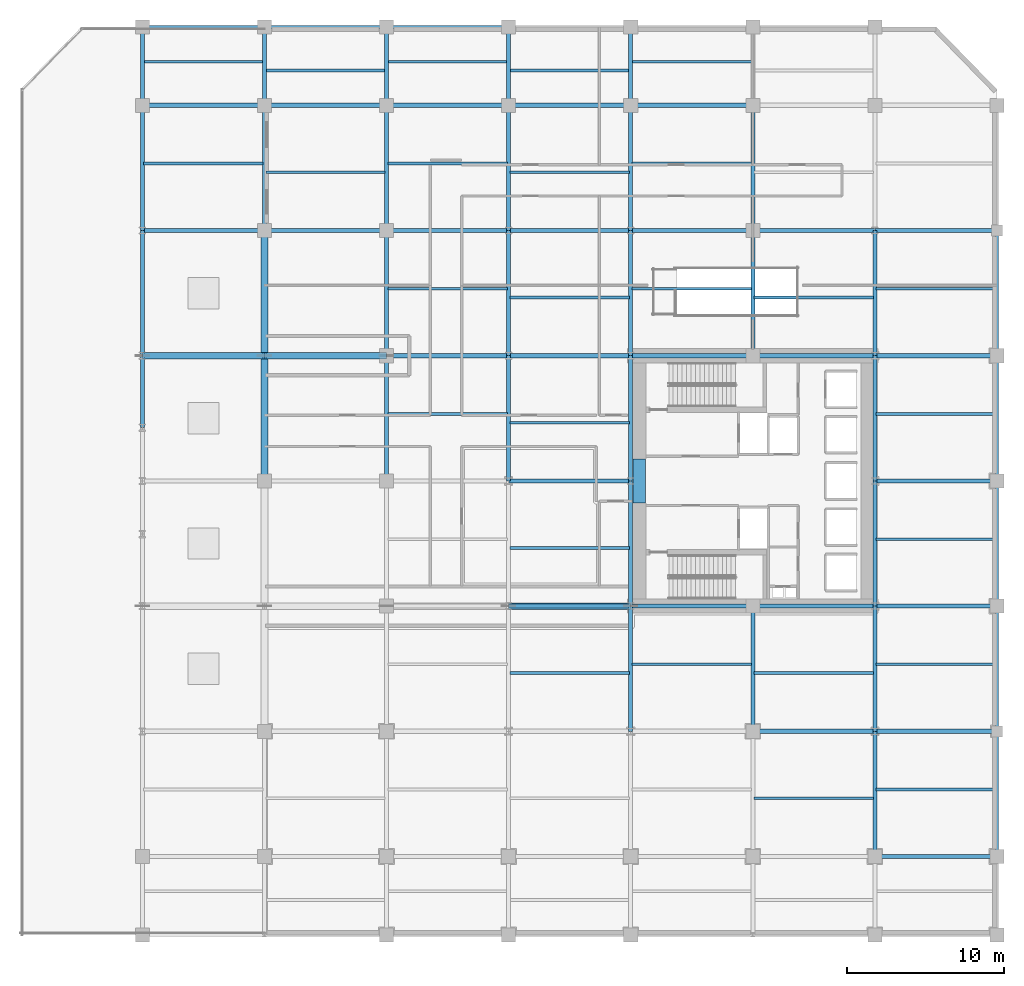
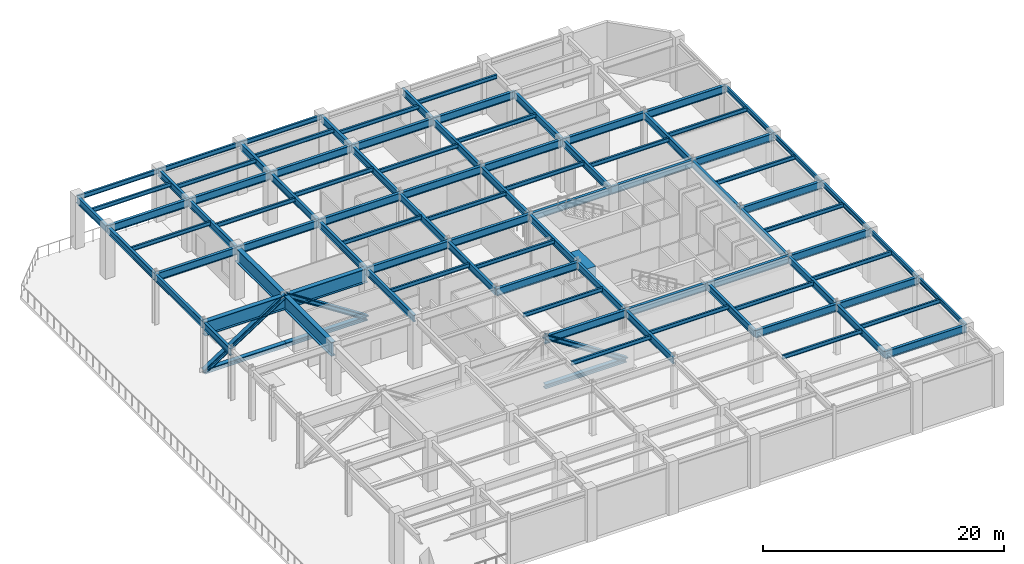
# One storey, part 4 of 14: 91 beams, 6 members.
"""IFC4 building model written with IfcOpenShell, lengths in metres."""

import ifcopenshell
import ifcopenshell.guid

model = None  # the IFC model being written
_history = None  # IfcOwnerHistory: only IFC2X3 demands one
_inside = {}  # id of a spatial element -> (the spatial element, [elements in it])
_under = {}  # id of a project, library or spatial element -> (it, [spatial elements below it])
_declared = {}  # id of a project -> (the project, [libraries it declares])
_typed = {}  # id of a type object -> (the type object, [elements of that type])
_made_of = {}  # id of a material, layer set ... -> (it, [elements and type objects made of it])


def new_model(schema):
    """Start an empty IFC model of exactly this schema.

    Asked for "IFC4X3", IfcOpenShell would pick the latest addendum, in which some entities
    have other attributes; the version numbers below select the first issue.
    IFC2X3 requires an IfcOwnerHistory on every rooted entity: one is made here for all.
    """
    global model, _history
    if schema == "IFC4X3":
        model = ifcopenshell.file(schema_version=(4, 3, 0, 0))
    else:
        model = ifcopenshell.file(schema=schema)
    _inside.clear()
    _under.clear()
    _declared.clear()
    _typed.clear()
    _made_of.clear()
    _history = None
    if model.schema == "IFC2X3":
        org = make("IfcOrganization", Name="unknown")
        user = make(
            "IfcPersonAndOrganization",
            ThePerson=make("IfcPerson", FamilyName="unknown"),
            TheOrganization=org,
        )
        app = make(
            "IfcApplication",
            ApplicationDeveloper=org,
            Version="unknown",
            ApplicationFullName="unknown",
            ApplicationIdentifier="unknown",
        )
        _history = make(
            "IfcOwnerHistory",
            OwningUser=user,
            OwningApplication=app,
            ChangeAction="ADDED",
            CreationDate=0,
        )
    return model


def make(cls, **values):
    """One entity of the class cls with the attributes given. An attribute that is None is left unset."""
    return model.create_entity(
        cls, **{name: value for name, value in values.items() if value is not None}
    )


def rooted(cls, **values):
    """An entity with a GlobalId (a new one), such as an element, a storey or a relation."""
    return make(cls, GlobalId=ifcopenshell.guid.new(), OwnerHistory=_history, **values)


def si_unit(unit_type, name, prefix=None):
    """IfcSIUnit, for example si_unit("LENGTHUNIT", "METRE", prefix="MILLI")."""
    return make("IfcSIUnit", UnitType=unit_type, Prefix=prefix, Name=name)


def assignment(units):
    """IfcUnitAssignment: the units of a project."""
    return None if units is None else make("IfcUnitAssignment", Units=units)


def point(xyz):
    """IfcCartesianPoint."""
    return None if xyz is None else make("IfcCartesianPoint", Coordinates=xyz)


def direction(xyz):
    """IfcDirection."""
    return None if xyz is None else make("IfcDirection", DirectionRatios=xyz)


def frame(location, z_axis=None, x_axis=None):
    """IfcAxis2Placement3D, a coordinate frame: its origin and axes. An axis left out is left unset."""
    return make(
        "IfcAxis2Placement3D",
        Location=point(location),
        Axis=direction(z_axis),
        RefDirection=direction(x_axis),
    )


def frame_2d(location, x_axis=None):
    """IfcAxis2Placement2D, a coordinate frame in the plane: its origin and x axis."""
    return make(
        "IfcAxis2Placement2D", Location=point(location), RefDirection=direction(x_axis)
    )


def origin():
    """The frame at (0, 0, 0) with its axes left unset."""
    return frame((0.0, 0.0, 0.0))


def origin_2d():
    """The frame at (0, 0) in the plane with its x axis left unset."""
    return frame_2d((0.0, 0.0))


def place(relative_to, where):
    """IfcLocalPlacement: puts the frame where relative to a parent placement (None: the world)."""
    return make(
        "IfcLocalPlacement", PlacementRelTo=relative_to, RelativePlacement=where
    )


def context(
    kind, dimensions, precision=None, world=None, true_north=None, identifier=None
):
    """IfcGeometricRepresentationContext, for example the 3D "Model" context."""
    return make(
        "IfcGeometricRepresentationContext",
        ContextIdentifier=identifier,
        ContextType=kind,
        CoordinateSpaceDimension=dimensions,
        Precision=precision,
        WorldCoordinateSystem=world,
        TrueNorth=true_north,
    )


def subcontext(parent, identifier, kind, view, scale=None):
    """IfcGeometricRepresentationSubContext, for example "Body" below "Model"."""
    return make(
        "IfcGeometricRepresentationSubContext",
        ContextIdentifier=identifier,
        ContextType=kind,
        ParentContext=parent,
        TargetScale=scale,
        TargetView=view,
    )


def project(units=None, contexts=None):
    """IfcProject with its units and contexts."""
    return rooted(
        "IfcProject",
        Name="project",
        RepresentationContexts=contexts,
        UnitsInContext=assignment(units),
    )


def spatial(cls, under=None, at=None, **own):
    """A site, building, storey or space (cls), placed at a placement, below another one or the project."""
    s = rooted(cls, ObjectPlacement=at, **own)
    if under is not None:
        _under.setdefault(under.id(), (under, []))[1].append(s)
    return s


def profile(cls, at=None, kind="AREA", **sizes):
    """A parametric profile (cls). Its sizes go by their IFC names, for example OverallWidth=200.0."""
    return make(cls, ProfileType=kind, Position=at, **sizes)


def rectangle(**sizes):
    """IfcRectangleProfileDef."""
    return profile("IfcRectangleProfileDef", **sizes)


def i_section(**sizes):
    """IfcIShapeProfileDef."""
    return profile("IfcIShapeProfileDef", **sizes)


def extrude(swept, where, along, depth):
    """IfcExtrudedAreaSolid: the profile swept, set in the frame where, extruded along a direction by depth."""
    return make(
        "IfcExtrudedAreaSolid",
        SweptArea=swept,
        Position=where,
        ExtrudedDirection=direction(along),
        Depth=depth,
    )


def shape(context_of_items, identifier, shape_type, items):
    """IfcShapeRepresentation: the items that make up one representation, for example the "Body"."""
    return make(
        "IfcShapeRepresentation",
        ContextOfItems=context_of_items,
        RepresentationIdentifier=identifier,
        RepresentationType=shape_type,
        Items=items,
    )


def material(Name=None, Category=None):
    """IfcMaterial."""
    return make("IfcMaterial", Name=Name, Category=Category)


def material_profile(
    of_material, cross_section, Name=None, Category=None, Priority=None
):
    """IfcMaterialProfile: a cross section and its material."""
    return make(
        "IfcMaterialProfile",
        Name=Name,
        Material=of_material,
        Profile=cross_section,
        Priority=Priority,
        Category=Category,
    )


def profile_set(profiles, Name=None, composite=None):
    """IfcMaterialProfileSet."""
    return make(
        "IfcMaterialProfileSet",
        Name=Name,
        MaterialProfiles=profiles,
        CompositeProfile=composite,
    )


def made_of(thing, what):
    """Note that an element or type object is made of a material, layer set ...; save() writes the relation."""
    if what is not None:
        _made_of.setdefault(what.id(), (what, []))[1].append(thing)
    return thing


def type_object(cls, material=None, **own):
    """A type object (cls), such as IfcWallType, which elements share."""
    return made_of(rooted(cls, **own), material)


def element(
    cls,
    number,
    at=None,
    inside=None,
    cuts=None,
    type_object=None,
    material=None,
    context=None,
    identifier="Body",
    shape_type=None,
    held_by="IfcProductDefinitionShape",
    body=None,
    shapes=None,
    **own,
):
    """One element of the class cls, such as IfcWall. Its Tag is "e" and its number.

    at: its placement. inside: the storey or other place that contains it. cuts: it is an
    opening in that element (IfcRelVoidsElement). A single representation is given by context,
    identifier, shape_type and body (its items); several are given by shapes. held_by: the class
    of the entity that holds the representations. save() writes the other relations.
    """
    e = rooted(cls, Tag="e%d" % number, ObjectPlacement=at, **own)
    if body is not None:
        shapes = [shape(context, identifier, shape_type, body)]
    if shapes is not None:
        e.Representation = make(held_by, Representations=shapes)
    if inside is not None:
        _inside.setdefault(inside.id(), (inside, []))[1].append(e)
    if cuts is not None:
        rooted(
            "IfcRelVoidsElement", RelatingBuildingElement=cuts, RelatedOpeningElement=e
        )
    if type_object is not None:
        _typed.setdefault(type_object.id(), (type_object, []))[1].append(e)
    return made_of(e, material)


def aggregate(whole, parts):
    """IfcRelAggregates: a whole, such as a stair, and the parts it consists of."""
    return rooted("IfcRelAggregates", RelatingObject=whole, RelatedObjects=parts)


def save(model, path):
    """Write the relations noted so far, then the file.

    IfcRelAggregates (storeys below a building ...), IfcRelContainedInSpatialStructure (elements
    in a storey), IfcRelDefinesByType, IfcRelAssociatesMaterial and IfcRelDeclares: one each for
    every whole, place, type object, material and project.
    """
    for whole, parts in _under.values():
        aggregate(whole, parts)
    for where, things in _inside.values():
        rooted(
            "IfcRelContainedInSpatialStructure",
            RelatedElements=things,
            RelatingStructure=where,
        )
    for kind, things in _typed.values():
        rooted("IfcRelDefinesByType", RelatedObjects=things, RelatingType=kind)
    for what, things in _made_of.values():
        rooted("IfcRelAssociatesMaterial", RelatedObjects=things, RelatingMaterial=what)
    for by, libraries in _declared.values():
        rooted("IfcRelDeclares", RelatingContext=by, RelatedDefinitions=libraries)
    model.write(path)


model = new_model("IFC4")

# Units and contexts
model_context = context("Model", 3, precision=1e-05, world=origin(), true_north=direction((0.0, 1.0)))
body_context = subcontext(model_context, "Body", "Model", "MODEL_VIEW")
ifc_project = project(units=[si_unit("LENGTHUNIT", "METRE"), si_unit("AREAUNIT", "SQUARE_METRE"), si_unit("VOLUMEUNIT", "CUBIC_METRE"), si_unit("PLANEANGLEUNIT", "RADIAN"), si_unit("MASSUNIT", "GRAM", prefix="KILO")], contexts=[model_context])

# Site, building, storey
site_placement = place(None, origin())
site = spatial("IfcSite", under=ifc_project, at=site_placement, CompositionType="ELEMENT")
building_placement = place(site_placement, origin())
building = spatial("IfcBuilding", under=site, at=building_placement, Name="Veymaron Broadcast Tower", CompositionType="ELEMENT")
storey_placement = place(building_placement, frame((0.0, 0.0, 27.0)))
storey = spatial("IfcBuildingStorey", under=building, at=storey_placement, Name="L05", CompositionType="ELEMENT", Elevation=27.0)

# Beams
ifc_material_1 = material(Name="Concrete C70/85", Category="concrete")
ifc_material_profile_1 = material_profile(ifc_material_1, rectangle(XDim=0.800048828125, YDim=1.10009765625, at=origin_2d()), Name="RC800X1100")
ifc_profile_set_1 = profile_set([ifc_material_profile_1], Name="Concrete C70/85")
beam_type_1 = type_object("IfcBeamType", Name="BM-CB1", PredefinedType="LINTEL", material=ifc_profile_set_1)
beam_1_placement = place(storey_placement, frame((39.530029296875, 22.60009765625, 4.530029296875), z_axis=(0.0, 1.0, 0.0), x_axis=(-1.0, 0.0, 0.0)))
element("IfcBeam", 1, at=beam_1_placement, inside=storey, type_object=beam_type_1, Name="L05 Core Wall west coupling beam", PredefinedType="LINTEL", context=body_context, shape_type="SweptSolid", body=[
    extrude(rectangle(XDim=0.800048828125, YDim=1.10009765625, at=origin_2d()), origin(), (0.0, 0.0, 1.0), 2.7998046875),
])
ifc_material_2 = material(Name="Structural steel ASTM A992 Gr 50", Category="steel")
ifc_material_profile_2 = material_profile(ifc_material_2, i_section(OverallWidth=0.177978515625, OverallDepth=0.406982421875, WebThickness=0.0078125, FlangeThickness=0.0126953125, at=origin_2d()), Name="W410X60")
ifc_profile_set_2 = profile_set([ifc_material_profile_2], Name="Structural steel ASTM A992 Gr 50")
beam_type_2 = type_object("IfcBeamType", Name="BM-JS1", PredefinedType="JOIST", material=ifc_profile_set_2)
for number, where, z_axis, x_axis, name in (
    (2, (7.885009765625, 44.280029296875, 4.87646484375), (1.0, 0.0, 0.0), (0.0, 1.0, 0.0), "L05 podium secondary floor joist"),
    (3, (7.885009765625, 50.780029296875, 4.87646484375), (1.0, 0.0, 0.0), (0.0, 1.0, 0.0), "L05 podium secondary floor joist"),
    (4, (15.68505859375, 43.719970703125, 4.87646484375), (1.0, 0.0, 0.0), (0.0, 1.0, 0.0), "L05 podium secondary floor joist"),
    (5, (15.68505859375, 50.219970703125, 4.87646484375), (1.0, 0.0, 0.0), (0.0, 1.0, 0.0), "L05 podium secondary floor joist"),
    (6, (23.485107421875, 28.280029296875, 4.87646484375), (1.0, 0.0, 0.0), (0.0, 1.0, 0.0), "L05 podium secondary floor joist"),
    (7, (23.485107421875, 36.280029296875, 4.87646484375), (1.0, 0.0, 0.0), (0.0, 1.0, 0.0), "L05 podium secondary floor joist"),
    (8, (23.485107421875, 44.280029296875, 4.87646484375), (1.0, 0.0, 0.0), (0.0, 1.0, 0.0), "L05 podium secondary floor joist"),
    (9, (23.485107421875, 50.780029296875, 4.87646484375), (1.0, 0.0, 0.0), (0.0, 1.0, 0.0), "L05 podium secondary floor joist"),
):
    element("IfcBeam", number, at=place(storey_placement, frame(where, z_axis=z_axis, x_axis=x_axis)), inside=storey, type_object=beam_type_2, Name=name, PredefinedType="JOIST", context=body_context, shape_type="SweptSolid", body=[
        extrude(i_section(OverallWidth=0.177978515625, OverallDepth=0.406982421875, WebThickness=0.0078125, FlangeThickness=0.0126953125, at=origin_2d()), origin(), (0.0, 0.0, 1.0), 7.6298828125),
    ])
for number, where, z_axis, x_axis, name in (
    (10, (31.284912109375, 11.719970703125, 4.87646484375), (1.0, 0.0, 0.0), (0.0, 1.0, 0.0), "L05 podium secondary floor joist"),
    (11, (31.284912109375, 19.719970703125, 4.87646484375), (1.0, 0.0, 0.0), (0.0, 1.0, 0.0), "L05 podium secondary floor joist"),
    (12, (31.284912109375, 27.719970703125, 4.87646484375), (1.0, 0.0, 0.0), (0.0, 1.0, 0.0), "L05 podium secondary floor joist"),
    (13, (31.284912109375, 35.719970703125, 4.87646484375), (1.0, 0.0, 0.0), (0.0, 1.0, 0.0), "L05 podium secondary floor joist"),
    (14, (31.284912109375, 43.719970703125, 4.87646484375), (1.0, 0.0, 0.0), (0.0, 1.0, 0.0), "L05 podium secondary floor joist"),
    (15, (31.284912109375, 50.219970703125, 4.87646484375), (1.0, 0.0, 0.0), (0.0, 1.0, 0.0), "L05 podium secondary floor joist"),
    (16, (39.0849609375, 12.280029296875, 4.87646484375), (1.0, 0.0, 0.0), (0.0, 1.0, 0.0), "L05 podium secondary floor joist"),
    (17, (39.0849609375, 36.280029296875, 4.87646484375), (1.0, 0.0, 0.0), (0.0, 1.0, 0.0), "L05 podium secondary floor joist"),
    (18, (39.0849609375, 44.280029296875, 4.87646484375), (1.0, 0.0, 0.0), (0.0, 1.0, 0.0), "L05 podium secondary floor joist"),
    (19, (39.0849609375, 50.780029296875, 4.87646484375), (1.0, 0.0, 0.0), (0.0, 1.0, 0.0), "L05 podium secondary floor joist"),
):
    element("IfcBeam", number, at=place(storey_placement, frame(where, z_axis=z_axis, x_axis=x_axis)), inside=storey, type_object=beam_type_2, Name=name, PredefinedType="JOIST", context=body_context, shape_type="SweptSolid", body=[
        extrude(i_section(OverallWidth=0.177978515625, OverallDepth=0.406982421875, WebThickness=0.0078125, FlangeThickness=0.0126953125, at=origin_2d()), origin(), (0.0, 0.0, 1.0), 7.630126953125),
    ])
for number, where, z_axis, x_axis, name in (
    (20, (46.885009765625, 3.719970703125, 4.87646484375), (1.0, 0.0, 0.0), (0.0, 1.0, 0.0), "L05 podium secondary floor joist"),
    (21, (46.885009765625, 11.719970703125, 4.87646484375), (1.0, 0.0, 0.0), (0.0, 1.0, 0.0), "L05 podium secondary floor joist"),
    (22, (46.885009765625, 35.719970703125, 4.87646484375), (1.0, 0.0, 0.0), (0.0, 1.0, 0.0), "L05 podium secondary floor joist"),
    (23, (54.68505859375, 4.280029296875, 4.87646484375), (1.0, 0.0, 0.0), (0.0, 1.0, 0.0), "L05 podium secondary floor joist"),
    (24, (54.68505859375, 12.280029296875, 4.87646484375), (1.0, 0.0, 0.0), (0.0, 1.0, 0.0), "L05 podium secondary floor joist"),
    (25, (54.68505859375, 20.280029296875, 4.87646484375), (1.0, 0.0, 0.0), (0.0, 1.0, 0.0), "L05 podium secondary floor joist"),
    (26, (54.68505859375, 28.280029296875, 4.87646484375), (1.0, 0.0, 0.0), (0.0, 1.0, 0.0), "L05 podium secondary floor joist"),
    (27, (54.68505859375, 36.280029296875, 4.87646484375), (1.0, 0.0, 0.0), (0.0, 1.0, 0.0), "L05 podium secondary floor joist"),
):
    element("IfcBeam", number, at=place(storey_placement, frame(where, z_axis=z_axis, x_axis=x_axis)), inside=storey, type_object=beam_type_2, Name=name, PredefinedType="JOIST", context=body_context, shape_type="SweptSolid", body=[
        extrude(i_section(OverallWidth=0.177978515625, OverallDepth=0.406982421875, WebThickness=0.0078125, FlangeThickness=0.0126953125, at=origin_2d()), origin(), (0.0, 0.0, 1.0), 7.6298828125),
    ])
ifc_material_profile_3 = material_profile(ifc_material_2, i_section(OverallWidth=0.26806640625, OverallDepth=0.77001953125, WebThickness=0.015625, FlangeThickness=0.025390625, at=origin_2d()), Name="W760X196")
ifc_profile_set_3 = profile_set([ifc_material_profile_3], Name="Structural steel ASTM A992 Gr 50")
beam_type_3 = type_object("IfcBeamType", Name="BM-PG1", PredefinedType="BEAM", material=ifc_profile_set_3)
beam_2_placement = place(storey_placement, frame((54.60009765625, 0.0, 4.695068359375), z_axis=(1.0, 0.0, 0.0), x_axis=(0.0, 1.0, 0.0)))
element("IfcBeam", 28, at=beam_2_placement, inside=storey, type_object=beam_type_3, Name="L05 podium primary X-girder", PredefinedType="BEAM", context=body_context, shape_type="SweptSolid", body=[
    extrude(i_section(OverallWidth=0.26806640625, OverallDepth=0.77001953125, WebThickness=0.015625, FlangeThickness=0.025390625, at=origin_2d()), origin(), (0.0, 0.0, 1.0), 7.7998046875),
])
beam_3_placement = place(storey_placement, frame((46.800048828125, 8.0, 4.695068359375), z_axis=(1.0, 0.0, 0.0), x_axis=(0.0, 1.0, 0.0)))
element("IfcBeam", 29, at=beam_3_placement, inside=storey, type_object=beam_type_3, Name="L05 podium primary X-girder", PredefinedType="BEAM", context=body_context, shape_type="SweptSolid", body=[
    extrude(i_section(OverallWidth=0.26806640625, OverallDepth=0.77001953125, WebThickness=0.015625, FlangeThickness=0.025390625, at=origin_2d()), origin(), (0.0, 0.0, 1.0), 7.800048828125),
])
beam_4_placement = place(storey_placement, frame((54.60009765625, 8.0, 4.695068359375), z_axis=(1.0, 0.0, 0.0), x_axis=(0.0, 1.0, 0.0)))
element("IfcBeam", 30, at=beam_4_placement, inside=storey, type_object=beam_type_3, Name="L05 podium primary X-girder", PredefinedType="BEAM", context=body_context, shape_type="SweptSolid", body=[
    extrude(i_section(OverallWidth=0.26806640625, OverallDepth=0.77001953125, WebThickness=0.015625, FlangeThickness=0.025390625, at=origin_2d()), origin(), (0.0, 0.0, 1.0), 7.7998046875),
])
for number, where, z_axis, x_axis, name in (
    (31, (31.199951171875, 16.0, 4.695068359375), (1.0, 0.0, 0.0), (0.0, 1.0, 0.0), "L05 podium primary X-girder"),
    (32, (39.0, 16.0, 4.695068359375), (1.0, 0.0, 0.0), (0.0, 1.0, 0.0), "L05 podium primary X-girder"),
    (33, (46.800048828125, 16.0, 4.695068359375), (1.0, 0.0, 0.0), (0.0, 1.0, 0.0), "L05 podium primary X-girder"),
):
    element("IfcBeam", number, at=place(storey_placement, frame(where, z_axis=z_axis, x_axis=x_axis)), inside=storey, type_object=beam_type_3, Name=name, PredefinedType="BEAM", context=body_context, shape_type="SweptSolid", body=[
        extrude(i_section(OverallWidth=0.26806640625, OverallDepth=0.77001953125, WebThickness=0.015625, FlangeThickness=0.025390625, at=origin_2d()), origin(), (0.0, 0.0, 1.0), 7.800048828125),
    ])
beam_5_placement = place(storey_placement, frame((54.60009765625, 16.0, 4.695068359375), z_axis=(1.0, 0.0, 0.0), x_axis=(0.0, 1.0, 0.0)))
element("IfcBeam", 34, at=beam_5_placement, inside=storey, type_object=beam_type_3, Name="L05 podium primary X-girder", PredefinedType="BEAM", context=body_context, shape_type="SweptSolid", body=[
    extrude(i_section(OverallWidth=0.26806640625, OverallDepth=0.77001953125, WebThickness=0.015625, FlangeThickness=0.025390625, at=origin_2d()), origin(), (0.0, 0.0, 1.0), 7.7998046875),
])
beam_6_placement = place(storey_placement, frame((31.199951171875, 24.0, 4.695068359375), z_axis=(1.0, 0.0, 0.0), x_axis=(0.0, 1.0, 0.0)))
element("IfcBeam", 35, at=beam_6_placement, inside=storey, type_object=beam_type_3, Name="L05 podium primary X-girder", PredefinedType="BEAM", context=body_context, shape_type="SweptSolid", body=[
    extrude(i_section(OverallWidth=0.26806640625, OverallDepth=0.77001953125, WebThickness=0.015625, FlangeThickness=0.025390625, at=origin_2d()), origin(), (0.0, 0.0, 1.0), 7.800048828125),
])
beam_7_placement = place(storey_placement, frame((54.60009765625, 24.0, 4.695068359375), z_axis=(1.0, 0.0, 0.0), x_axis=(0.0, 1.0, 0.0)))
element("IfcBeam", 36, at=beam_7_placement, inside=storey, type_object=beam_type_3, Name="L05 podium primary X-girder", PredefinedType="BEAM", context=body_context, shape_type="SweptSolid", body=[
    extrude(i_section(OverallWidth=0.26806640625, OverallDepth=0.77001953125, WebThickness=0.015625, FlangeThickness=0.025390625, at=origin_2d()), origin(), (0.0, 0.0, 1.0), 7.7998046875),
])
for number, where, z_axis, x_axis, name in (
    (37, (23.39990234375, 32.0, 4.695068359375), (1.0, 0.0, 0.0), (0.0, 1.0, 0.0), "L05 podium primary X-girder"),
    (38, (31.199951171875, 32.0, 4.695068359375), (1.0, 0.0, 0.0), (0.0, 1.0, 0.0), "L05 podium primary X-girder"),
    (39, (39.0, 32.0, 4.695068359375), (1.0, 0.0, 0.0), (0.0, 1.0, 0.0), "L05 podium primary X-girder"),
    (40, (46.800048828125, 32.0, 4.695068359375), (1.0, 0.0, 0.0), (0.0, 1.0, 0.0), "L05 podium primary X-girder"),
):
    element("IfcBeam", number, at=place(storey_placement, frame(where, z_axis=z_axis, x_axis=x_axis)), inside=storey, type_object=beam_type_3, Name=name, PredefinedType="BEAM", context=body_context, shape_type="SweptSolid", body=[
        extrude(i_section(OverallWidth=0.26806640625, OverallDepth=0.77001953125, WebThickness=0.015625, FlangeThickness=0.025390625, at=origin_2d()), origin(), (0.0, 0.0, 1.0), 7.800048828125),
    ])
beam_8_placement = place(storey_placement, frame((54.60009765625, 32.0, 4.695068359375), z_axis=(1.0, 0.0, 0.0), x_axis=(0.0, 1.0, 0.0)))
element("IfcBeam", 41, at=beam_8_placement, inside=storey, type_object=beam_type_3, Name="L05 podium primary X-girder", PredefinedType="BEAM", context=body_context, shape_type="SweptSolid", body=[
    extrude(i_section(OverallWidth=0.26806640625, OverallDepth=0.77001953125, WebThickness=0.015625, FlangeThickness=0.025390625, at=origin_2d()), origin(), (0.0, 0.0, 1.0), 7.7998046875),
])
beam_9_placement = place(storey_placement, frame((7.800048828125, 40.0, 4.695068359375), z_axis=(1.0, 0.0, 0.0), x_axis=(0.0, 1.0, 0.0)))
element("IfcBeam", 42, at=beam_9_placement, inside=storey, type_object=beam_type_3, Name="L05 podium primary X-girder", PredefinedType="BEAM", context=body_context, shape_type="SweptSolid", body=[
    extrude(i_section(OverallWidth=0.26806640625, OverallDepth=0.77001953125, WebThickness=0.015625, FlangeThickness=0.025390625, at=origin_2d()), origin(), (0.0, 0.0, 1.0), 7.800048828125),
])
beam_10_placement = place(storey_placement, frame((15.60009765625, 40.0, 4.695068359375), z_axis=(1.0, 0.0, 0.0), x_axis=(0.0, 1.0, 0.0)))
element("IfcBeam", 43, at=beam_10_placement, inside=storey, type_object=beam_type_3, Name="L05 podium primary X-girder", PredefinedType="BEAM", context=body_context, shape_type="SweptSolid", body=[
    extrude(i_section(OverallWidth=0.26806640625, OverallDepth=0.77001953125, WebThickness=0.015625, FlangeThickness=0.025390625, at=origin_2d()), origin(), (0.0, 0.0, 1.0), 7.7998046875),
])
for number, where, z_axis, x_axis, name in (
    (44, (23.39990234375, 40.0, 4.695068359375), (1.0, 0.0, 0.0), (0.0, 1.0, 0.0), "L05 podium primary X-girder"),
    (45, (31.199951171875, 40.0, 4.695068359375), (1.0, 0.0, 0.0), (0.0, 1.0, 0.0), "L05 podium primary X-girder"),
    (46, (39.0, 40.0, 4.695068359375), (1.0, 0.0, 0.0), (0.0, 1.0, 0.0), "L05 podium primary X-girder"),
    (47, (46.800048828125, 40.0, 4.695068359375), (1.0, 0.0, 0.0), (0.0, 1.0, 0.0), "L05 podium primary X-girder"),
):
    element("IfcBeam", number, at=place(storey_placement, frame(where, z_axis=z_axis, x_axis=x_axis)), inside=storey, type_object=beam_type_3, Name=name, PredefinedType="BEAM", context=body_context, shape_type="SweptSolid", body=[
        extrude(i_section(OverallWidth=0.26806640625, OverallDepth=0.77001953125, WebThickness=0.015625, FlangeThickness=0.025390625, at=origin_2d()), origin(), (0.0, 0.0, 1.0), 7.800048828125),
    ])
beam_11_placement = place(storey_placement, frame((54.60009765625, 40.0, 4.695068359375), z_axis=(1.0, 0.0, 0.0), x_axis=(0.0, 1.0, 0.0)))
element("IfcBeam", 48, at=beam_11_placement, inside=storey, type_object=beam_type_3, Name="L05 podium primary X-girder", PredefinedType="BEAM", context=body_context, shape_type="SweptSolid", body=[
    extrude(i_section(OverallWidth=0.26806640625, OverallDepth=0.77001953125, WebThickness=0.015625, FlangeThickness=0.025390625, at=origin_2d()), origin(), (0.0, 0.0, 1.0), 7.7998046875),
])
beam_12_placement = place(storey_placement, frame((7.800048828125, 48.0, 4.695068359375), z_axis=(1.0, 0.0, 0.0), x_axis=(0.0, 1.0, 0.0)))
element("IfcBeam", 49, at=beam_12_placement, inside=storey, type_object=beam_type_3, Name="L05 podium primary X-girder", PredefinedType="BEAM", context=body_context, shape_type="SweptSolid", body=[
    extrude(i_section(OverallWidth=0.26806640625, OverallDepth=0.77001953125, WebThickness=0.015625, FlangeThickness=0.025390625, at=origin_2d()), origin(), (0.0, 0.0, 1.0), 7.800048828125),
])
beam_13_placement = place(storey_placement, frame((15.60009765625, 48.0, 4.695068359375), z_axis=(1.0, 0.0, 0.0), x_axis=(0.0, 1.0, 0.0)))
element("IfcBeam", 50, at=beam_13_placement, inside=storey, type_object=beam_type_3, Name="L05 podium primary X-girder", PredefinedType="BEAM", context=body_context, shape_type="SweptSolid", body=[
    extrude(i_section(OverallWidth=0.26806640625, OverallDepth=0.77001953125, WebThickness=0.015625, FlangeThickness=0.025390625, at=origin_2d()), origin(), (0.0, 0.0, 1.0), 7.7998046875),
])
for number, where, z_axis, x_axis, name in (
    (51, (23.39990234375, 48.0, 4.695068359375), (1.0, 0.0, 0.0), (0.0, 1.0, 0.0), "L05 podium primary X-girder"),
    (52, (31.199951171875, 48.0, 4.695068359375), (1.0, 0.0, 0.0), (0.0, 1.0, 0.0), "L05 podium primary X-girder"),
    (53, (39.0, 48.0, 4.695068359375), (1.0, 0.0, 0.0), (0.0, 1.0, 0.0), "L05 podium primary X-girder"),
):
    element("IfcBeam", number, at=place(storey_placement, frame(where, z_axis=z_axis, x_axis=x_axis)), inside=storey, type_object=beam_type_3, Name=name, PredefinedType="BEAM", context=body_context, shape_type="SweptSolid", body=[
        extrude(i_section(OverallWidth=0.26806640625, OverallDepth=0.77001953125, WebThickness=0.015625, FlangeThickness=0.025390625, at=origin_2d()), origin(), (0.0, 0.0, 1.0), 7.800048828125),
    ])
ifc_material_profile_4 = material_profile(ifc_material_2, i_section(OverallWidth=0.256103515625, OverallDepth=0.693115234375, WebThickness=0.014404296875, FlangeThickness=0.023681640625, at=origin_2d()), Name="W690X170")
ifc_profile_set_4 = profile_set([ifc_material_profile_4], Name="Structural steel ASTM A992 Gr 50")
beam_type_4 = type_object("IfcBeamType", Name="BM-PG2", PredefinedType="BEAM", material=ifc_profile_set_4)
beam_14_placement = place(storey_placement, frame((7.800048828125, 27.39990234375, 4.7333984375), z_axis=(0.0, 1.0, 0.0), x_axis=(-1.0, 0.0, 0.0)))
element("IfcBeam", 54, at=beam_14_placement, inside=storey, type_object=beam_type_4, Name="L05 podium primary Y-girder", PredefinedType="BEAM", context=body_context, shape_type="SweptSolid", body=[
    extrude(i_section(OverallWidth=0.256103515625, OverallDepth=0.693115234375, WebThickness=0.014404296875, FlangeThickness=0.023681640625, at=origin_2d()), origin(), (0.0, 0.0, 1.0), 4.60009765625),
])
for number, where, z_axis, x_axis, name in (
    (55, (7.800048828125, 32.0, 4.7333984375), (0.0, 1.0, 0.0), (-1.0, 0.0, 0.0), "L05 podium primary Y-girder"),
    (56, (7.800048828125, 40.0, 4.7333984375), (0.0, 1.0, 0.0), (-1.0, 0.0, 0.0), "L05 podium primary Y-girder"),
):
    element("IfcBeam", number, at=place(storey_placement, frame(where, z_axis=z_axis, x_axis=x_axis)), inside=storey, type_object=beam_type_4, Name=name, PredefinedType="BEAM", context=body_context, shape_type="SweptSolid", body=[
        extrude(i_section(OverallWidth=0.256103515625, OverallDepth=0.693115234375, WebThickness=0.014404296875, FlangeThickness=0.023681640625, at=origin_2d()), origin(), (0.0, 0.0, 1.0), 8.0),
    ])
beam_15_placement = place(storey_placement, frame((7.800048828125, 48.0, 4.7333984375), z_axis=(0.0, 1.0, 0.0), x_axis=(-1.0, 0.0, 0.0)))
element("IfcBeam", 57, at=beam_15_placement, inside=storey, type_object=beam_type_4, Name="L05 podium primary Y-girder", PredefinedType="BEAM", context=body_context, shape_type="SweptSolid", body=[
    extrude(i_section(OverallWidth=0.256103515625, OverallDepth=0.693115234375, WebThickness=0.014404296875, FlangeThickness=0.023681640625, at=origin_2d()), origin(), (0.0, 0.0, 1.0), 5.0),
])
beam_16_placement = place(storey_placement, frame((15.60009765625, 40.0, 4.7333984375), z_axis=(0.0, 1.0, 0.0), x_axis=(-1.0, 0.0, 0.0)))
element("IfcBeam", 58, at=beam_16_placement, inside=storey, type_object=beam_type_4, Name="L05 podium primary Y-girder", PredefinedType="BEAM", context=body_context, shape_type="SweptSolid", body=[
    extrude(i_section(OverallWidth=0.256103515625, OverallDepth=0.693115234375, WebThickness=0.014404296875, FlangeThickness=0.023681640625, at=origin_2d()), origin(), (0.0, 0.0, 1.0), 8.0),
])
beam_17_placement = place(storey_placement, frame((15.60009765625, 48.0, 4.7333984375), z_axis=(0.0, 1.0, 0.0), x_axis=(-1.0, 0.0, 0.0)))
element("IfcBeam", 59, at=beam_17_placement, inside=storey, type_object=beam_type_4, Name="L05 podium primary Y-girder", PredefinedType="BEAM", context=body_context, shape_type="SweptSolid", body=[
    extrude(i_section(OverallWidth=0.256103515625, OverallDepth=0.693115234375, WebThickness=0.014404296875, FlangeThickness=0.023681640625, at=origin_2d()), origin(), (0.0, 0.0, 1.0), 5.0),
])
for number, where, z_axis, x_axis, name in (
    (60, (23.39990234375, 24.0, 4.7333984375), (0.0, 1.0, 0.0), (-1.0, 0.0, 0.0), "L05 podium primary Y-girder"),
    (61, (23.39990234375, 32.0, 4.7333984375), (0.0, 1.0, 0.0), (-1.0, 0.0, 0.0), "L05 podium primary Y-girder"),
    (62, (23.39990234375, 40.0, 4.7333984375), (0.0, 1.0, 0.0), (-1.0, 0.0, 0.0), "L05 podium primary Y-girder"),
):
    element("IfcBeam", number, at=place(storey_placement, frame(where, z_axis=z_axis, x_axis=x_axis)), inside=storey, type_object=beam_type_4, Name=name, PredefinedType="BEAM", context=body_context, shape_type="SweptSolid", body=[
        extrude(i_section(OverallWidth=0.256103515625, OverallDepth=0.693115234375, WebThickness=0.014404296875, FlangeThickness=0.023681640625, at=origin_2d()), origin(), (0.0, 0.0, 1.0), 8.0),
    ])
beam_18_placement = place(storey_placement, frame((23.39990234375, 48.0, 4.7333984375), z_axis=(0.0, 1.0, 0.0), x_axis=(-1.0, 0.0, 0.0)))
element("IfcBeam", 63, at=beam_18_placement, inside=storey, type_object=beam_type_4, Name="L05 podium primary Y-girder", PredefinedType="BEAM", context=body_context, shape_type="SweptSolid", body=[
    extrude(i_section(OverallWidth=0.256103515625, OverallDepth=0.693115234375, WebThickness=0.014404296875, FlangeThickness=0.023681640625, at=origin_2d()), origin(), (0.0, 0.0, 1.0), 5.0),
])
for number, where, z_axis, x_axis, name in (
    (64, (31.199951171875, 24.0, 4.7333984375), (0.0, 1.0, 0.0), (-1.0, 0.0, 0.0), "L05 podium primary Y-girder"),
    (65, (31.199951171875, 32.0, 4.7333984375), (0.0, 1.0, 0.0), (-1.0, 0.0, 0.0), "L05 podium primary Y-girder"),
    (66, (31.199951171875, 40.0, 4.7333984375), (0.0, 1.0, 0.0), (-1.0, 0.0, 0.0), "L05 podium primary Y-girder"),
):
    element("IfcBeam", number, at=place(storey_placement, frame(where, z_axis=z_axis, x_axis=x_axis)), inside=storey, type_object=beam_type_4, Name=name, PredefinedType="BEAM", context=body_context, shape_type="SweptSolid", body=[
        extrude(i_section(OverallWidth=0.256103515625, OverallDepth=0.693115234375, WebThickness=0.014404296875, FlangeThickness=0.023681640625, at=origin_2d()), origin(), (0.0, 0.0, 1.0), 8.0),
    ])
beam_19_placement = place(storey_placement, frame((31.199951171875, 48.0, 4.7333984375), z_axis=(0.0, 1.0, 0.0), x_axis=(-1.0, 0.0, 0.0)))
element("IfcBeam", 67, at=beam_19_placement, inside=storey, type_object=beam_type_4, Name="L05 podium primary Y-girder", PredefinedType="BEAM", context=body_context, shape_type="SweptSolid", body=[
    extrude(i_section(OverallWidth=0.256103515625, OverallDepth=0.693115234375, WebThickness=0.014404296875, FlangeThickness=0.023681640625, at=origin_2d()), origin(), (0.0, 0.0, 1.0), 5.0),
])
for number, where, z_axis, x_axis, name in (
    (68, (39.0, 8.0, 4.7333984375), (0.0, 1.0, 0.0), (-1.0, 0.0, 0.0), "L05 podium primary Y-girder"),
    (69, (39.0, 16.0, 4.7333984375), (0.0, 1.0, 0.0), (-1.0, 0.0, 0.0), "L05 podium primary Y-girder"),
    (70, (39.0, 24.0, 4.7333984375), (0.0, 1.0, 0.0), (-1.0, 0.0, 0.0), "L05 podium primary Y-girder"),
    (71, (39.0, 32.0, 4.7333984375), (0.0, 1.0, 0.0), (-1.0, 0.0, 0.0), "L05 podium primary Y-girder"),
    (72, (39.0, 40.0, 4.7333984375), (0.0, 1.0, 0.0), (-1.0, 0.0, 0.0), "L05 podium primary Y-girder"),
):
    element("IfcBeam", number, at=place(storey_placement, frame(where, z_axis=z_axis, x_axis=x_axis)), inside=storey, type_object=beam_type_4, Name=name, PredefinedType="BEAM", context=body_context, shape_type="SweptSolid", body=[
        extrude(i_section(OverallWidth=0.256103515625, OverallDepth=0.693115234375, WebThickness=0.014404296875, FlangeThickness=0.023681640625, at=origin_2d()), origin(), (0.0, 0.0, 1.0), 8.0),
    ])
beam_20_placement = place(storey_placement, frame((39.0, 48.0, 4.7333984375), z_axis=(0.0, 1.0, 0.0), x_axis=(-1.0, 0.0, 0.0)))
element("IfcBeam", 73, at=beam_20_placement, inside=storey, type_object=beam_type_4, Name="L05 podium primary Y-girder", PredefinedType="BEAM", context=body_context, shape_type="SweptSolid", body=[
    extrude(i_section(OverallWidth=0.256103515625, OverallDepth=0.693115234375, WebThickness=0.014404296875, FlangeThickness=0.023681640625, at=origin_2d()), origin(), (0.0, 0.0, 1.0), 5.0),
])
for number, where, z_axis, x_axis, name in (
    (74, (46.800048828125, 8.0, 4.7333984375), (0.0, 1.0, 0.0), (-1.0, 0.0, 0.0), "L05 podium primary Y-girder"),
    (75, (46.800048828125, 32.0, 4.7333984375), (0.0, 1.0, 0.0), (-1.0, 0.0, 0.0), "L05 podium primary Y-girder"),
    (76, (46.800048828125, 40.0, 4.7333984375), (0.0, 1.0, 0.0), (-1.0, 0.0, 0.0), "L05 podium primary Y-girder"),
    (77, (54.60009765625, 0.0, 4.7333984375), (0.0, 1.0, 0.0), (-1.0, 0.0, 0.0), "L05 podium primary Y-girder"),
    (78, (54.60009765625, 8.0, 4.7333984375), (0.0, 1.0, 0.0), (-1.0, 0.0, 0.0), "L05 podium primary Y-girder"),
    (79, (54.60009765625, 16.0, 4.7333984375), (0.0, 1.0, 0.0), (-1.0, 0.0, 0.0), "L05 podium primary Y-girder"),
    (80, (54.60009765625, 24.0, 4.7333984375), (0.0, 1.0, 0.0), (-1.0, 0.0, 0.0), "L05 podium primary Y-girder"),
    (81, (54.60009765625, 32.0, 4.7333984375), (0.0, 1.0, 0.0), (-1.0, 0.0, 0.0), "L05 podium primary Y-girder"),
):
    element("IfcBeam", number, at=place(storey_placement, frame(where, z_axis=z_axis, x_axis=x_axis)), inside=storey, type_object=beam_type_4, Name=name, PredefinedType="BEAM", context=body_context, shape_type="SweptSolid", body=[
        extrude(i_section(OverallWidth=0.256103515625, OverallDepth=0.693115234375, WebThickness=0.014404296875, FlangeThickness=0.023681640625, at=origin_2d()), origin(), (0.0, 0.0, 1.0), 8.0),
    ])
ifc_material_profile_5 = material_profile(ifc_material_2, i_section(OverallWidth=0.19091796875, OverallDepth=0.4599609375, WebThickness=0.010009765625, FlangeThickness=0.01611328125, at=origin_2d()), Name="W460X82")
ifc_profile_set_5 = profile_set([ifc_material_profile_5], Name="Structural steel ASTM A992 Gr 50")
beam_type_5 = type_object("IfcBeamType", Name="BM-SP1", PredefinedType="SPANDREL", material=ifc_profile_set_5)
beam_21_placement = place(storey_placement, frame((7.800048828125, 53.0, 4.85009765625), z_axis=(1.0, 0.0, 0.0), x_axis=(0.0, 1.0, 0.0)))
element("IfcBeam", 82, at=beam_21_placement, inside=storey, type_object=beam_type_5, Name="L05 podium primary X-girder", PredefinedType="SPANDREL", context=body_context, shape_type="SweptSolid", body=[
    extrude(i_section(OverallWidth=0.19091796875, OverallDepth=0.4599609375, WebThickness=0.010009765625, FlangeThickness=0.01611328125, at=origin_2d()), origin(), (0.0, 0.0, 1.0), 7.800048828125),
])
beam_22_placement = place(storey_placement, frame((15.60009765625, 53.0, 4.85009765625), z_axis=(1.0, 0.0, 0.0), x_axis=(0.0, 1.0, 0.0)))
element("IfcBeam", 83, at=beam_22_placement, inside=storey, type_object=beam_type_5, Name="L05 podium primary X-girder", PredefinedType="SPANDREL", context=body_context, shape_type="SweptSolid", body=[
    extrude(i_section(OverallWidth=0.19091796875, OverallDepth=0.4599609375, WebThickness=0.010009765625, FlangeThickness=0.01611328125, at=origin_2d()), origin(), (0.0, 0.0, 1.0), 7.7998046875),
])
beam_23_placement = place(storey_placement, frame((23.39990234375, 53.0, 4.85009765625), z_axis=(1.0, 0.0, 0.0), x_axis=(0.0, 1.0, 0.0)))
element("IfcBeam", 84, at=beam_23_placement, inside=storey, type_object=beam_type_5, Name="L05 podium primary X-girder", PredefinedType="SPANDREL", context=body_context, shape_type="SweptSolid", body=[
    extrude(i_section(OverallWidth=0.19091796875, OverallDepth=0.4599609375, WebThickness=0.010009765625, FlangeThickness=0.01611328125, at=origin_2d()), origin(), (0.0, 0.0, 1.0), 7.800048828125),
])
for number, where, z_axis, x_axis, name in (
    (85, (62.39990234375, 0.0, 4.85009765625), (0.0, 1.0, 0.0), (-1.0, 0.0, 0.0), "L05 podium primary Y-girder"),
    (86, (62.39990234375, 8.0, 4.85009765625), (0.0, 1.0, 0.0), (-1.0, 0.0, 0.0), "L05 podium primary Y-girder"),
    (87, (62.39990234375, 16.0, 4.85009765625), (0.0, 1.0, 0.0), (-1.0, 0.0, 0.0), "L05 podium primary Y-girder"),
    (88, (62.39990234375, 24.0, 4.85009765625), (0.0, 1.0, 0.0), (-1.0, 0.0, 0.0), "L05 podium primary Y-girder"),
    (89, (62.39990234375, 32.0, 4.85009765625), (0.0, 1.0, 0.0), (-1.0, 0.0, 0.0), "L05 podium primary Y-girder"),
):
    element("IfcBeam", number, at=place(storey_placement, frame(where, z_axis=z_axis, x_axis=x_axis)), inside=storey, type_object=beam_type_5, Name=name, PredefinedType="SPANDREL", context=body_context, shape_type="SweptSolid", body=[
        extrude(i_section(OverallWidth=0.19091796875, OverallDepth=0.4599609375, WebThickness=0.010009765625, FlangeThickness=0.01611328125, at=origin_2d()), origin(), (0.0, 0.0, 1.0), 8.0),
    ])
ifc_material_3 = material(Name="Structural steel ASTM A913 Gr 65", Category="steel")
ifc_material_profile_6 = material_profile(ifc_material_3, i_section(OverallWidth=0.429931640625, OverallDepth=1.419921875, WebThickness=0.030029296875, FlangeThickness=0.050048828125, at=origin_2d()), Name="W1400X550")
ifc_profile_set_6 = profile_set([ifc_material_profile_6], Name="Structural steel ASTM A913 Gr 65")
beam_type_6 = type_object("IfcBeamType", Name="BM-TG0", PredefinedType="BEAM", material=ifc_profile_set_6)
beam_24_placement = place(storey_placement, frame((7.800048828125, 32.0, 4.3701171875), z_axis=(1.0, 0.0, 0.0), x_axis=(0.0, 1.0, 0.0)))
element("IfcBeam", 90, at=beam_24_placement, inside=storey, type_object=beam_type_6, Name="L05 podium primary X-girder", PredefinedType="BEAM", context=body_context, shape_type="SweptSolid", body=[
    extrude(i_section(OverallWidth=0.429931640625, OverallDepth=1.419921875, WebThickness=0.030029296875, FlangeThickness=0.050048828125, at=origin_2d()), origin(), (0.0, 0.0, 1.0), 15.599853515625),
])
beam_25_placement = place(storey_placement, frame((15.60009765625, 24.0, 4.3701171875), z_axis=(0.0, 1.0, 0.0), x_axis=(-1.0, 0.0, 0.0)))
element("IfcBeam", 91, at=beam_25_placement, inside=storey, type_object=beam_type_6, Name="L05 podium primary Y-girder", PredefinedType="BEAM", context=body_context, shape_type="SweptSolid", body=[
    extrude(i_section(OverallWidth=0.429931640625, OverallDepth=1.419921875, WebThickness=0.030029296875, FlangeThickness=0.050048828125, at=origin_2d()), origin(), (0.0, 0.0, 1.0), 16.0),
])

# Members
ifc_material_profile_7 = material_profile(ifc_material_3, i_section(OverallWidth=0.412109375, OverallDepth=0.43505859375, WebThickness=0.035888671875, FlangeThickness=0.05810546875, at=origin_2d()), Name="W360X463")
ifc_profile_set_7 = profile_set([ifc_material_profile_7], Name="Structural steel ASTM A913 Gr 65")
member_type_1 = type_object("IfcMemberType", Name="MEM-CW1", PredefinedType="CHORD", material=ifc_profile_set_7)
for number, where, z_axis, x_axis, name in (
    (92, (31.199951171875, 16.0, 0.02001953125), (1.0, 0.0, 0.0), (0.0, 1.0, 0.0), "L05 Studio Transfer Truss TT1 bottom chord 4"),
    (93, (7.800048828125, 32.0, 0.02001953125), (1.0, 0.0, 0.0), (0.0, 1.0, 0.0), "L05 Studio Transfer Truss TT2 bottom chord 1"),
):
    element("IfcMember", number, at=place(storey_placement, frame(where, z_axis=z_axis, x_axis=x_axis)), inside=storey, type_object=member_type_1, Name=name, PredefinedType="CHORD", context=body_context, shape_type="SweptSolid", body=[
        extrude(i_section(OverallWidth=0.412109375, OverallDepth=0.43505859375, WebThickness=0.035888671875, FlangeThickness=0.05810546875, at=origin_2d()), origin(), (0.0, 0.0, 1.0), 7.800048828125),
    ])
member_1_placement = place(storey_placement, frame((15.60009765625, 32.0, 0.02001953125), z_axis=(1.0, 0.0, 0.0), x_axis=(0.0, 1.0, 0.0)))
element("IfcMember", 94, at=member_1_placement, inside=storey, type_object=member_type_1, Name="L05 Studio Transfer Truss TT2 bottom chord 2", PredefinedType="CHORD", context=body_context, shape_type="SweptSolid", body=[
    extrude(i_section(OverallWidth=0.412109375, OverallDepth=0.43505859375, WebThickness=0.035888671875, FlangeThickness=0.05810546875, at=origin_2d()), origin(), (0.0, 0.0, 1.0), 7.7998046875),
])
ifc_material_profile_8 = material_profile(ifc_material_3, i_section(OverallWidth=0.41796875, OverallDepth=0.455078125, WebThickness=0.0419921875, FlangeThickness=0.067626953125, at=origin_2d()), Name="W360X551")
ifc_profile_set_8 = profile_set([ifc_material_profile_8], Name="Structural steel ASTM A913 Gr 65")
member_type_2 = type_object("IfcMemberType", Name="MEM-TW1", PredefinedType="BRACE", material=ifc_profile_set_8)
for number, where, z_axis, x_axis, name in (
    (95, (31.199951171875, 16.0, 5.06005859375), (0.83991629977, 0.0, -0.542715956445), (0.0, 1.0, 0.0), "L05 Studio Transfer Truss TT1 web brace 4"),
    (96, (7.800048828125, 32.0, 0.02001953125), (0.83991629977, 0.0, 0.542715956445), (0.0, 1.0, 0.0), "L05 Studio Transfer Truss TT2 web brace 1"),
):
    element("IfcMember", number, at=place(storey_placement, frame(where, z_axis=z_axis, x_axis=x_axis)), inside=storey, type_object=member_type_2, Name=name, PredefinedType="BRACE", context=body_context, shape_type="SweptSolid", body=[
        extrude(i_section(OverallWidth=0.41796875, OverallDepth=0.455078125, WebThickness=0.0419921875, FlangeThickness=0.067626953125, at=origin_2d()), origin(), (0.0, 0.0, 1.0), 9.28662109375),
    ])
member_2_placement = place(storey_placement, frame((15.60009765625, 32.0, 5.06005859375), z_axis=(0.839908556253, 0.0, -0.542727940255), x_axis=(0.0, 1.0, 0.0)))
element("IfcMember", 97, at=member_2_placement, inside=storey, type_object=member_type_2, Name="L05 Studio Transfer Truss TT2 web brace 2", PredefinedType="BRACE", context=body_context, shape_type="SweptSolid", body=[
    extrude(i_section(OverallWidth=0.41796875, OverallDepth=0.455078125, WebThickness=0.0419921875, FlangeThickness=0.067626953125, at=origin_2d()), origin(), (0.0, 0.0, 1.0), 9.286376953125),
])

save(model, "model.ifc")
